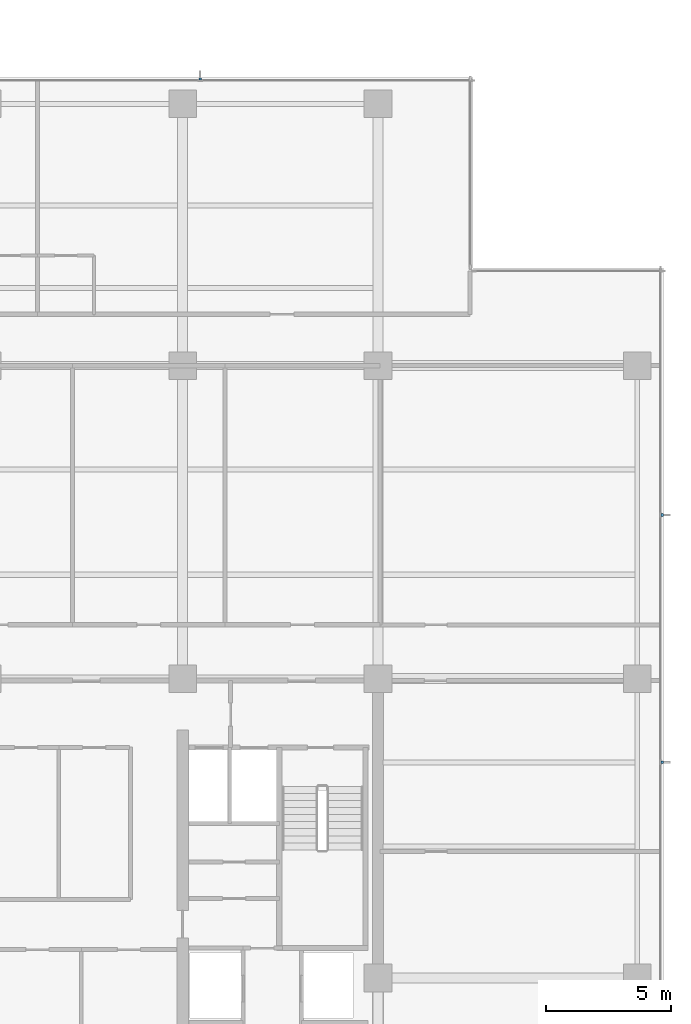
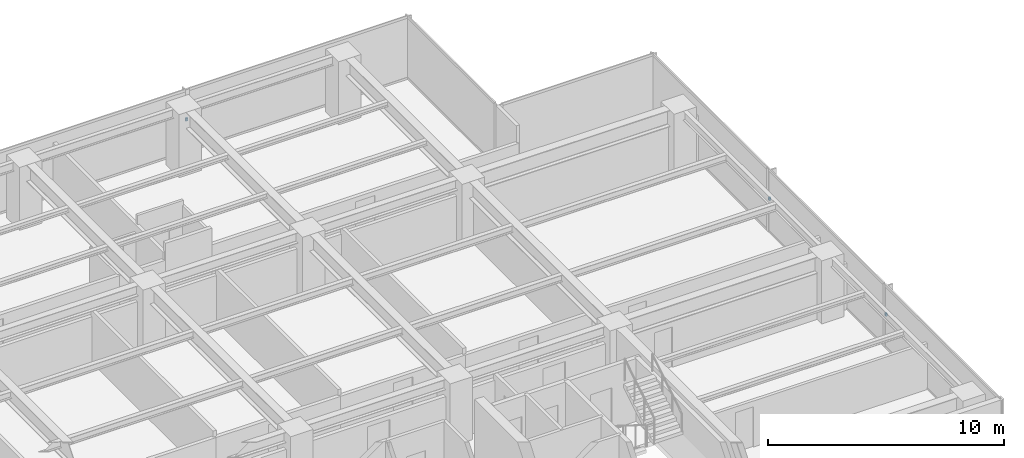
# One storey, part 12 of 14: 3 discrete accessories.
"""IFC4 building model written with IfcOpenShell, lengths in metres."""

from ifc_helpers import new_model, si_unit, direction, frame, origin, place, context, subcontext, project, spatial, polyline, outline, extrude, material, type_object, element, save


model = new_model("IFC4")

# Units and contexts
model_context = context("Model", 3, precision=1e-05, world=origin(), true_north=direction((0.0, 1.0)))
body_context = subcontext(model_context, "Body", "Model", "MODEL_VIEW")
ifc_project = project(units=[si_unit("LENGTHUNIT", "METRE"), si_unit("AREAUNIT", "SQUARE_METRE"), si_unit("VOLUMEUNIT", "CUBIC_METRE"), si_unit("PLANEANGLEUNIT", "RADIAN"), si_unit("MASSUNIT", "GRAM", prefix="KILO")], contexts=[model_context])

# Site, building, storey
site_placement = place(None, origin())
site = spatial("IfcSite", under=ifc_project, at=site_placement, CompositionType="ELEMENT")
building_placement = place(site_placement, origin())
building = spatial("IfcBuilding", under=site, at=building_placement, Name="Qalmaran Belvedere Hotel", CompositionType="ELEMENT")
storey_placement = place(building_placement, frame((0.0, 0.0, 177.10009765625)))
storey = spatial("IfcBuildingStorey", under=building, at=storey_placement, Name="L45", CompositionType="ELEMENT", Elevation=177.10009765625)

# Discrete accessories
ifc_material = material(Name="Stainless Steel 1.4401", Category="steel")
discrete_accessory_type = type_object("IfcDiscreteAccessoryType", Name="BRK-FIN-SS316", PredefinedType="BRACKET", material=ifc_material)
discrete_accessory_1_placement = place(storey_placement, frame((0.0, 0.0, 1.574951171875)))
element("IfcDiscreteAccessory", 1, at=discrete_accessory_1_placement, inside=storey, type_object=discrete_accessory_type, Name="L45 Fin Bracket 1", PredefinedType="BRACKET", context=body_context, shape_type="SweptSolid", body=[
    extrude(outline(polyline([(56.094970703125, 17.11181640625), (56.18994140625, 17.11181640625), (56.18994140625, 17.2216796875), (56.094970703125, 17.2216796875), (56.094970703125, 17.11181640625)])), origin(), (0.0, 0.0, 1.0), 0.139892578125),
])
discrete_accessory_2_placement = place(storey_placement, frame((0.0, 0.0, 1.574951171875)))
element("IfcDiscreteAccessory", 2, at=discrete_accessory_2_placement, inside=storey, type_object=discrete_accessory_type, Name="L45 Fin Bracket 2", PredefinedType="BRACKET", context=body_context, shape_type="SweptSolid", body=[
    extrude(outline(polyline([(56.094970703125, 26.978271484375), (56.18994140625, 26.978271484375), (56.18994140625, 27.08837890625), (56.094970703125, 27.08837890625), (56.094970703125, 26.978271484375)])), origin(), (0.0, 0.0, 1.0), 0.139892578125),
])
discrete_accessory_3_placement = place(storey_placement, frame((0.0, 0.0, 1.574951171875)))
element("IfcDiscreteAccessory", 3, at=discrete_accessory_3_placement, inside=storey, type_object=discrete_accessory_type, Name="L45 Fin Bracket 1", PredefinedType="BRACKET", context=body_context, shape_type="SweptSolid", body=[
    extrude(outline(polyline([(37.7548828125, 44.39501953125), (37.7548828125, 44.489990234375), (37.64501953125, 44.489990234375), (37.64501953125, 44.39501953125), (37.7548828125, 44.39501953125)])), origin(), (0.0, 0.0, 1.0), 0.139892578125),
])

save(model, "model.ifc")
